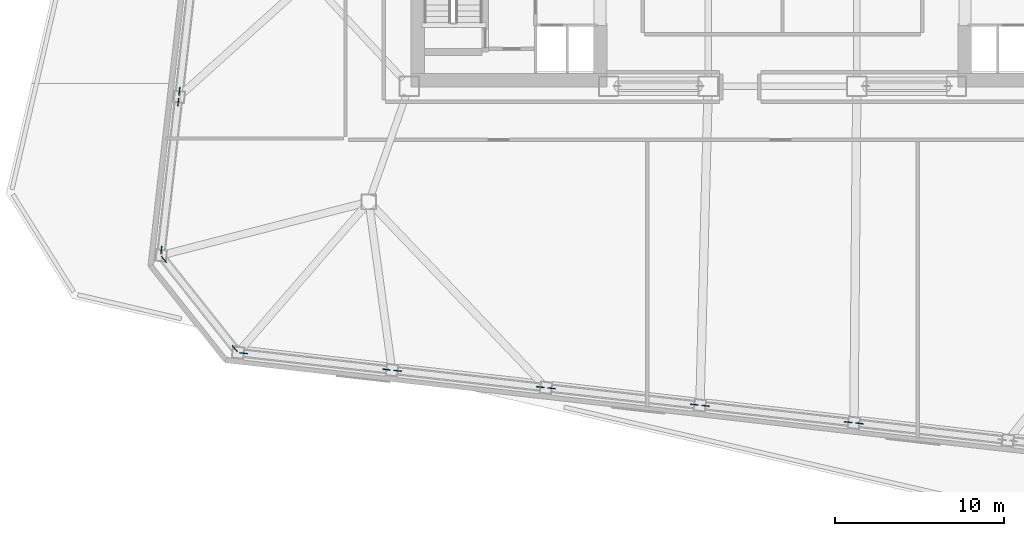
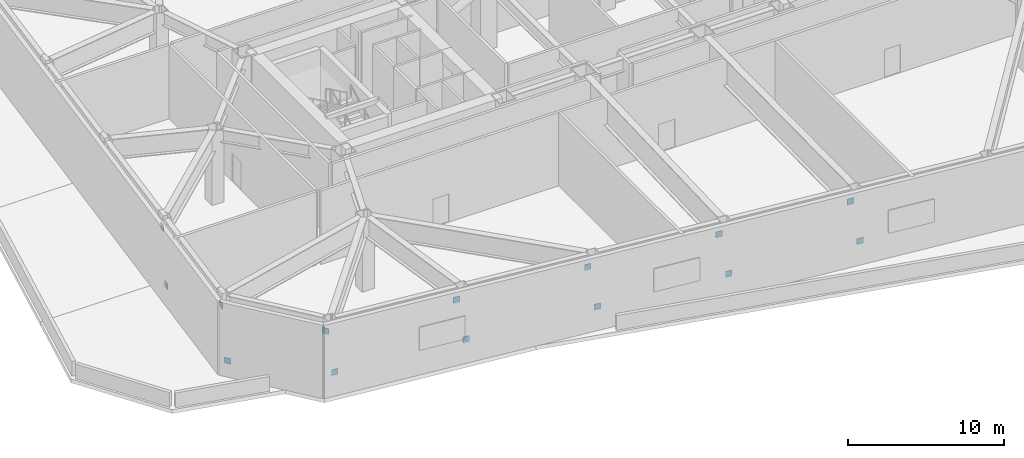
# One storey, part 8 of 14: 14 discrete accessories.
"""IFC4 building model written with IfcOpenShell, lengths in metres."""

from ifc_helpers import new_model, si_unit, direction, frame, origin, origin_2d, place, context, subcontext, project, spatial, rectangle, extrude, material, type_object, element, save


model = new_model("IFC4")

# Units and contexts
model_context = context("Model", 3, precision=1e-05, world=origin(), true_north=direction((0.0, 1.0)))
body_context = subcontext(model_context, "Body", "Model", "MODEL_VIEW")
ifc_project = project(units=[si_unit("LENGTHUNIT", "METRE"), si_unit("AREAUNIT", "SQUARE_METRE"), si_unit("VOLUMEUNIT", "CUBIC_METRE"), si_unit("PLANEANGLEUNIT", "RADIAN"), si_unit("MASSUNIT", "GRAM", prefix="KILO")], contexts=[model_context])

# Site, building, storey
site_placement = place(None, origin())
site = spatial("IfcSite", under=ifc_project, at=site_placement, CompositionType="ELEMENT")
building_placement = place(site_placement, origin())
building = spatial("IfcBuilding", under=site, at=building_placement, Name="Tavrogorsk Clinical Tower", CompositionType="ELEMENT")
storey_placement = place(building_placement, frame((0.0, 0.0, 83.39990234375)))
storey = spatial("IfcBuildingStorey", under=building, at=storey_placement, Name="L18", CompositionType="ELEMENT", Elevation=83.39990234375)

# Discrete accessories
ifc_material = material(Name="Structural steel S440", Category="steel")
discrete_accessory_type = type_object("IfcDiscreteAccessoryType", Name="GussetPlateBracket_25", PredefinedType="BRACKET", material=ifc_material)
for number, where, z_axis, x_axis, name in (
    (1, (-31.912109375, -22.166748046875, 1.14892578125), (0.0, 0.0, 1.0), (0.993571855677, -0.113203213768, 0.0), "L18 Brace Gusset Plate EXOBELT-L18-01-A"),
    (2, (-23.457763671875, -23.1298828125, 4.431396484375), (0.0, 0.0, 1.0), (0.993571855677, -0.113203213768, 0.0), "L18 Brace Gusset Plate EXOBELT-L18-01-B"),
    (3, (-22.7939453125, -23.20556640625, 1.14892578125), (0.0, 0.0, 1.0), (0.993571855677, -0.113203213768, 0.0), "L18 Brace Gusset Plate EXOBELT-L18-02-A"),
    (4, (-14.339599609375, -24.168701171875, 4.431396484375), (0.0, 0.0, 1.0), (0.993571855677, -0.113203213768, 0.0), "L18 Brace Gusset Plate EXOBELT-L18-02-B"),
    (5, (-13.67578125, -24.244384765625, 1.14892578125), (0.0, 0.0, 1.0), (0.993571855677, -0.113203213768, 0.0), "L18 Brace Gusset Plate EXOBELT-L18-03-A"),
    (6, (-5.221435546875, -25.207763671875, 4.431396484375), (0.0, 0.0, 1.0), (0.993571855677, -0.113203213768, 0.0), "L18 Brace Gusset Plate EXOBELT-L18-03-B"),
    (7, (-4.557861328125, -25.283203125, 1.14892578125), (0.0, 0.0, 1.0), (0.993571855677, -0.113203213768, 0.0), "L18 Brace Gusset Plate EXOBELT-L18-04-A"),
    (8, (3.896728515625, -26.24658203125, 4.431396484375), (0.0, 0.0, 1.0), (0.993571855677, -0.113203213768, 0.0), "L18 Brace Gusset Plate EXOBELT-L18-04-B"),
    (9, (4.560546875, -26.322265625, 1.14892578125), (0.0, 0.0, 1.0), (0.993571855677, -0.113203213768, 0.0), "L18 Brace Gusset Plate EXOBELT-L18-05-A"),
    (10, (-35.71435546875, -6.65234375, 4.407958984375), (0.0, 0.0, 1.0), (-0.113203213768, -0.993571855677, 0.0), "L18 Brace Gusset Plate EXOBELT-L18-24-B"),
    (11, (-35.78759765625, -7.29638671875, 0.272216796875), (0.0, 0.0, 1.0), (-0.113203213768, -0.993571855677, 0.0), "L18 Brace Gusset Plate EXOBELT-L18-25-A"),
    (12, (-36.78515625, -16.051513671875, 4.407958984375), (0.0, 0.0, 1.0), (-0.113203213768, -0.993571855677, 0.0), "L18 Brace Gusset Plate EXOBELT-L18-25-B"),
    (13, (-36.631103515625, -16.613525390625, 0.30517578125), (0.0, 0.0, 1.0), (0.622514636638, -0.782608156852, 0.0), "L18 Brace Gusset Plate EXOBELT-L18-26-A"),
    (14, (-32.434814453125, -21.88916015625, 4.375), (0.0, 0.0, 1.0), (0.622514636638, -0.782608156852, 0.0), "L18 Brace Gusset Plate EXOBELT-L18-26-B"),
):
    element("IfcDiscreteAccessory", number, at=place(storey_placement, frame(where, z_axis=z_axis, x_axis=x_axis)), inside=storey, type_object=discrete_accessory_type, Name=name, PredefinedType="BRACKET", context=body_context, shape_type="SweptSolid", body=[
        extrude(rectangle(XDim=0.4599609375, YDim=0.0400390625, at=origin_2d()), origin(), (0.0, 0.0, 1.0), 0.4599609375),
    ])

save(model, "model.ifc")
